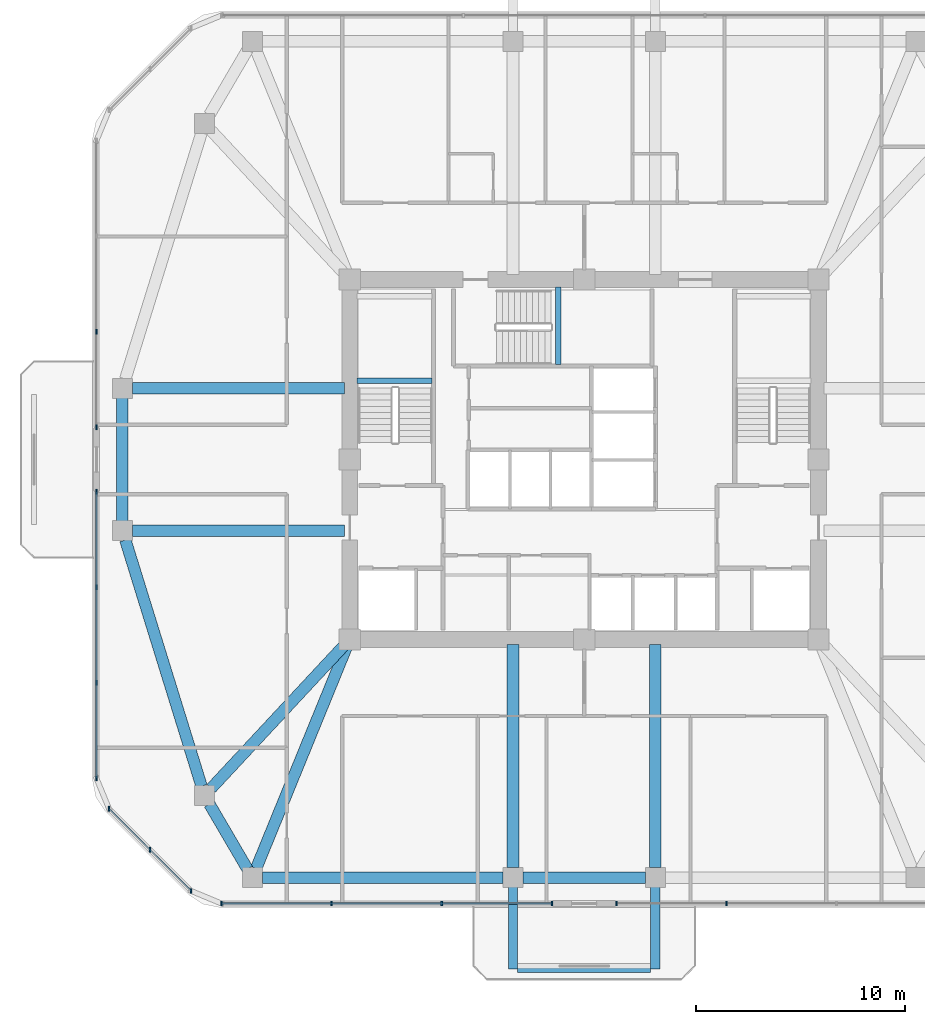
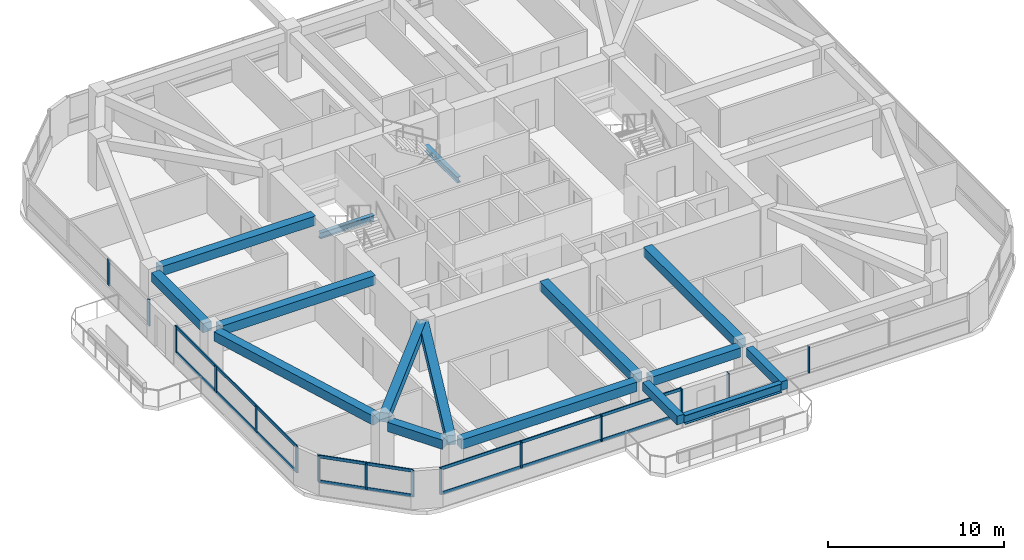
# One storey, part 2 of 12: 21 members, 16 beams, 5 elements without a shape of their own.
"""IFC4 building model written with IfcOpenShell, lengths in metres."""

from ifc_helpers import new_model, si_unit, derived_unit, direction, frame, origin, origin_2d, place, context, subcontext, project, spatial, rectangle, i_section, extrude, material, material_profile, profile_set, type_object, element, aggregate, save


model = new_model("IFC4")

# Units and contexts
model_context = context("Model", 3, precision=1e-05, world=origin(), true_north=direction((0.0, 1.0)))
body_context = subcontext(model_context, "Body", "Model", "MODEL_VIEW")
ifc_project = project(units=[si_unit("LENGTHUNIT", "METRE"), si_unit("AREAUNIT", "SQUARE_METRE"), si_unit("VOLUMEUNIT", "CUBIC_METRE"), si_unit("PLANEANGLEUNIT", "RADIAN"), si_unit("MASSUNIT", "GRAM", prefix="KILO"), derived_unit("THERMALTRANSMITTANCEUNIT", [(si_unit("POWERUNIT", "WATT"), 1), (si_unit("LENGTHUNIT", "METRE"), -2), (si_unit("THERMODYNAMICTEMPERATUREUNIT", "KELVIN"), -1)])], contexts=[model_context])

# Site, building, storey
site_placement = place(None, origin())
site = spatial("IfcSite", under=ifc_project, at=site_placement, CompositionType="ELEMENT")
building_placement = place(site_placement, origin())
building = spatial("IfcBuilding", under=site, at=building_placement, Name="Koralith Skygarden Medical Center", CompositionType="ELEMENT")
storey_placement = place(building_placement, frame((0.0, 0.0, 134.820068359375)))
storey = spatial("IfcBuildingStorey", under=building, at=storey_placement, Name="L34", CompositionType="ELEMENT", Elevation=134.820068359375)

# Curtain wall, members
ifc_material_1 = material(Name="Clear Laminated Glass", Category="glass")
curtain_wall_type = type_object("IfcCurtainWallType", Name="CW-4 Zone 3 Waist High-Wind Curtain Wall", PredefinedType="NOTDEFINED", material=ifc_material_1)
curtain_wall_1_placement = place(storey_placement, origin())
curtain_wall_1 = element("IfcCurtainWall", 1, at=curtain_wall_1_placement, inside=storey, type_object=curtain_wall_type, Name="Curtain Wall CW-L34-S-L", PredefinedType="NOTDEFINED")
ifc_material_2 = material(Name="Aluminium 6063-T6", Category="aluminium")
ifc_material_profile_1 = material_profile(ifc_material_2, rectangle(XDim=0.076904296875, YDim=0.22998046875, at=origin_2d()), Name="MUL77X230")
ifc_profile_set_1 = profile_set([ifc_material_profile_1], Name="Aluminium 6063-T6")
member_type_1 = type_object("IfcMemberType", Name="CW-4 Extruded Mullion 77x230", PredefinedType="MULLION", material=ifc_profile_set_1)
member_1_placement = place(storey_placement, frame((19.6708984375, 4.679931640625, 0.849853515625), z_axis=(0.0, 0.0, 1.0), x_axis=(1.0, 0.0, 0.0)))
member_1 = element("IfcMember", 2, at=member_1_placement, type_object=member_type_1, Name="CW-L34-S-L Mullion 1", PredefinedType="MULLION", context=body_context, shape_type="SweptSolid", body=[
    extrude(rectangle(XDim=0.076904296875, YDim=0.22998046875, at=origin_2d()), origin(), (0.0, 0.0, 1.0), 1.820068359375),
])
member_2_placement = place(storey_placement, frame((24.93408203125, 4.679931640625, 0.849853515625), z_axis=(0.0, 0.0, 1.0), x_axis=(1.0, 0.0, 0.0)))
member_2 = element("IfcMember", 3, at=member_2_placement, type_object=member_type_1, Name="CW-L34-S-L Mullion 2", PredefinedType="MULLION", context=body_context, shape_type="SweptSolid", body=[
    extrude(rectangle(XDim=0.076904296875, YDim=0.22998046875, at=origin_2d()), origin(), (0.0, 0.0, 1.0), 1.820068359375),
])
member_3_placement = place(storey_placement, frame((30.196044921875, 4.679931640625, 0.849853515625), z_axis=(0.0, 0.0, 1.0), x_axis=(1.0, 0.0, 0.0)))
member_3 = element("IfcMember", 4, at=member_3_placement, type_object=member_type_1, Name="CW-L34-S-L Mullion 3", PredefinedType="MULLION", context=body_context, shape_type="SweptSolid", body=[
    extrude(rectangle(XDim=0.076904296875, YDim=0.22998046875, at=origin_2d()), origin(), (0.0, 0.0, 1.0), 1.820068359375),
])
member_4_placement = place(storey_placement, frame((35.458984375, 4.679931640625, 0.849853515625), z_axis=(0.0, 0.0, 1.0), x_axis=(1.0, 0.0, 0.0)))
member_4 = element("IfcMember", 5, at=member_4_placement, type_object=member_type_1, Name="CW-L34-S-L Mullion 4", PredefinedType="MULLION", context=body_context, shape_type="SweptSolid", body=[
    extrude(rectangle(XDim=0.076904296875, YDim=0.22998046875, at=origin_2d()), origin(), (0.0, 0.0, 1.0), 1.820068359375),
])

curtain_wall_2_placement = place(storey_placement, origin())
curtain_wall_2 = element("IfcCurtainWall", 6, at=curtain_wall_2_placement, inside=storey, type_object=curtain_wall_type, Name="Curtain Wall CW-L34-S-R", PredefinedType="NOTDEFINED")
member_5_placement = place(storey_placement, frame((38.5390625, 4.679931640625, 0.849853515625), z_axis=(0.0, 0.0, 1.0), x_axis=(1.0, 0.0, 0.0)))
member_5 = element("IfcMember", 7, at=member_5_placement, type_object=member_type_1, Name="CW-L34-S-R Mullion 1", PredefinedType="MULLION", context=body_context, shape_type="SweptSolid", body=[
    extrude(rectangle(XDim=0.076904296875, YDim=0.22998046875, at=origin_2d()), origin(), (0.0, 0.0, 1.0), 1.820068359375),
])
member_6_placement = place(storey_placement, frame((43.802001953125, 4.679931640625, 0.849853515625), z_axis=(0.0, 0.0, 1.0), x_axis=(1.0, 0.0, 0.0)))
member_6 = element("IfcMember", 8, at=member_6_placement, type_object=member_type_1, Name="CW-L34-S-R Mullion 2", PredefinedType="MULLION", context=body_context, shape_type="SweptSolid", body=[
    extrude(rectangle(XDim=0.076904296875, YDim=0.22998046875, at=origin_2d()), origin(), (0.0, 0.0, 1.0), 1.820068359375),
])
aggregate(curtain_wall_2, [member_5, member_6])

curtain_wall_3_placement = place(storey_placement, origin())
curtain_wall_3 = element("IfcCurtainWall", 9, at=curtain_wall_3_placement, inside=storey, type_object=curtain_wall_type, Name="Curtain Wall CW-L34-W-L", PredefinedType="NOTDEFINED")
member_7_placement = place(storey_placement, frame((13.696044921875, 32.008056640625, 0.849853515625), z_axis=(0.0, 0.0, 1.0), x_axis=(1.0, 0.0, 0.0)))
member_7 = element("IfcMember", 10, at=member_7_placement, type_object=member_type_1, Name="CW-L34-W-L Mullion 3", PredefinedType="MULLION", context=body_context, shape_type="SweptSolid", body=[
    extrude(rectangle(XDim=0.076904296875, YDim=0.22998046875, at=origin_2d()), origin(), (0.0, 0.0, 1.0), 1.820068359375),
])
member_8_placement = place(storey_placement, frame((13.696044921875, 27.43994140625, 0.849853515625), z_axis=(0.0, 0.0, 1.0), x_axis=(1.0, 0.0, 0.0)))
member_8 = element("IfcMember", 11, at=member_8_placement, type_object=member_type_1, Name="CW-L34-W-L Mullion 4", PredefinedType="MULLION", context=body_context, shape_type="SweptSolid", body=[
    extrude(rectangle(XDim=0.076904296875, YDim=0.22998046875, at=origin_2d()), origin(), (0.0, 0.0, 1.0), 1.820068359375),
])
aggregate(curtain_wall_3, [member_7, member_8])

curtain_wall_4_placement = place(storey_placement, origin())
curtain_wall_4 = element("IfcCurtainWall", 12, at=curtain_wall_4_placement, inside=storey, type_object=curtain_wall_type, Name="Curtain Wall CW-L34-W-R", PredefinedType="NOTDEFINED")
member_9_placement = place(storey_placement, frame((13.696044921875, 24.360107421875, 0.849853515625), z_axis=(0.0, 0.0, 1.0), x_axis=(1.0, 0.0, 0.0)))
member_9 = element("IfcMember", 13, at=member_9_placement, type_object=member_type_1, Name="CW-L34-W-R Mullion 1", PredefinedType="MULLION", context=body_context, shape_type="SweptSolid", body=[
    extrude(rectangle(XDim=0.076904296875, YDim=0.22998046875, at=origin_2d()), origin(), (0.0, 0.0, 1.0), 1.820068359375),
])
member_10_placement = place(storey_placement, frame((13.696044921875, 19.7919921875, 0.849853515625), z_axis=(0.0, 0.0, 1.0), x_axis=(1.0, 0.0, 0.0)))
member_10 = element("IfcMember", 14, at=member_10_placement, type_object=member_type_1, Name="CW-L34-W-R Mullion 2", PredefinedType="MULLION", context=body_context, shape_type="SweptSolid", body=[
    extrude(rectangle(XDim=0.076904296875, YDim=0.22998046875, at=origin_2d()), origin(), (0.0, 0.0, 1.0), 1.820068359375),
])
member_11_placement = place(storey_placement, frame((13.696044921875, 15.222900390625, 0.849853515625), z_axis=(0.0, 0.0, 1.0), x_axis=(1.0, 0.0, 0.0)))
member_11 = element("IfcMember", 15, at=member_11_placement, type_object=member_type_1, Name="CW-L34-W-R Mullion 3", PredefinedType="MULLION", context=body_context, shape_type="SweptSolid", body=[
    extrude(rectangle(XDim=0.076904296875, YDim=0.22998046875, at=origin_2d()), origin(), (0.0, 0.0, 1.0), 1.820068359375),
])
member_12_placement = place(storey_placement, frame((13.696044921875, 10.655029296875, 0.849853515625), z_axis=(0.0, 0.0, 1.0), x_axis=(1.0, 0.0, 0.0)))
member_12 = element("IfcMember", 16, at=member_12_placement, type_object=member_type_1, Name="CW-L34-W-R Mullion 4", PredefinedType="MULLION", context=body_context, shape_type="SweptSolid", body=[
    extrude(rectangle(XDim=0.076904296875, YDim=0.22998046875, at=origin_2d()), origin(), (0.0, 0.0, 1.0), 1.820068359375),
])

curtain_wall_5_placement = place(storey_placement, origin())
curtain_wall_5 = element("IfcCurtainWall", 17, at=curtain_wall_5_placement, inside=storey, type_object=curtain_wall_type, Name="Curtain Wall CW-L34-SW", PredefinedType="NOTDEFINED")
member_13_placement = place(storey_placement, frame((14.297119140625, 9.2041015625, 0.849853515625), z_axis=(0.0, 0.0, 1.0), x_axis=(1.0, 0.0, 0.0)))
member_13 = element("IfcMember", 18, at=member_13_placement, type_object=member_type_1, Name="CW-L34-SW Mullion 1", PredefinedType="MULLION", context=body_context, shape_type="SweptSolid", body=[
    extrude(rectangle(XDim=0.076904296875, YDim=0.22998046875, at=origin_2d()), origin(), (0.0, 0.0, 1.0), 1.820068359375),
])
member_14_placement = place(storey_placement, frame((16.258056640625, 7.241943359375, 0.849853515625), z_axis=(0.0, 0.0, 1.0), x_axis=(1.0, 0.0, 0.0)))
member_14 = element("IfcMember", 19, at=member_14_placement, type_object=member_type_1, Name="CW-L34-SW Mullion 2", PredefinedType="MULLION", context=body_context, shape_type="SweptSolid", body=[
    extrude(rectangle(XDim=0.076904296875, YDim=0.22998046875, at=origin_2d()), origin(), (0.0, 0.0, 1.0), 1.820068359375),
])
member_15_placement = place(storey_placement, frame((18.219970703125, 5.281005859375, 0.849853515625), z_axis=(0.0, 0.0, 1.0), x_axis=(1.0, 0.0, 0.0)))
member_15 = element("IfcMember", 20, at=member_15_placement, type_object=member_type_1, Name="CW-L34-SW Mullion 3", PredefinedType="MULLION", context=body_context, shape_type="SweptSolid", body=[
    extrude(rectangle(XDim=0.076904296875, YDim=0.22998046875, at=origin_2d()), origin(), (0.0, 0.0, 1.0), 1.820068359375),
])

# Member
ifc_material_profile_2 = material_profile(ifc_material_2, rectangle(XDim=0.072021484375, YDim=0.20703125, at=origin_2d()), Name="TRN72X207")
ifc_profile_set_2 = profile_set([ifc_material_profile_2], Name="Aluminium 6063-T6")
member_type_2 = type_object("IfcMemberType", Name="CW-4 Thermal Transom 72x207", PredefinedType="USERDEFINED", material=ifc_profile_set_2)
member_16_placement = place(storey_placement, frame((19.6708984375, 4.679931640625, 0.89990234375), z_axis=(1.0, 0.0, 0.0), x_axis=(0.0, 1.0, 0.0)))
member_16 = element("IfcMember", 21, at=member_16_placement, type_object=member_type_2, Name="CW-L34-S-L Transom 1", ObjectType="TRANSOM", PredefinedType="USERDEFINED", context=body_context, shape_type="SweptSolid", body=[
    extrude(rectangle(XDim=0.072021484375, YDim=0.20703125, at=origin_2d()), origin(), (0.0, 0.0, 1.0), 15.7880859375),
])

member_17_placement = place(storey_placement, frame((19.6708984375, 4.679931640625, 2.619873046875), z_axis=(1.0, 0.0, 0.0), x_axis=(0.0, 1.0, 0.0)))
member_17 = element("IfcMember", 22, at=member_17_placement, type_object=member_type_2, Name="CW-L34-S-L Transom 2", ObjectType="TRANSOM", PredefinedType="USERDEFINED", context=body_context, shape_type="SweptSolid", body=[
    extrude(rectangle(XDim=0.072021484375, YDim=0.20703125, at=origin_2d()), origin(), (0.0, 0.0, 1.0), 15.7880859375),
])

aggregate(curtain_wall_1, [member_1, member_2, member_3, member_4, member_16, member_17])

member_18_placement = place(storey_placement, frame((13.696044921875, 24.360107421875, 0.89990234375), z_axis=(0.0, -1.0, 0.0), x_axis=(1.0, 0.0, 0.0)))
member_18 = element("IfcMember", 23, at=member_18_placement, type_object=member_type_2, Name="CW-L34-W-R Transom 1", ObjectType="TRANSOM", PredefinedType="USERDEFINED", context=body_context, shape_type="SweptSolid", body=[
    extrude(rectangle(XDim=0.072021484375, YDim=0.20703125, at=origin_2d()), origin(), (0.0, 0.0, 1.0), 13.705078125),
])

member_19_placement = place(storey_placement, frame((13.696044921875, 24.360107421875, 2.619873046875), z_axis=(0.0, -1.0, 0.0), x_axis=(1.0, 0.0, 0.0)))
member_19 = element("IfcMember", 24, at=member_19_placement, type_object=member_type_2, Name="CW-L34-W-R Transom 2", ObjectType="TRANSOM", PredefinedType="USERDEFINED", context=body_context, shape_type="SweptSolid", body=[
    extrude(rectangle(XDim=0.072021484375, YDim=0.20703125, at=origin_2d()), origin(), (0.0, 0.0, 1.0), 13.705078125),
])

aggregate(curtain_wall_4, [member_9, member_10, member_11, member_12, member_18, member_19])

member_20_placement = place(storey_placement, frame((14.297119140625, 9.2041015625, 0.89990234375), z_axis=(0.707084777957, -0.707128783731, 0.0), x_axis=(0.707128783731, 0.707084777957, 0.0)))
member_20 = element("IfcMember", 25, at=member_20_placement, type_object=member_type_2, Name="CW-L34-SW Transom 1", ObjectType="TRANSOM", PredefinedType="USERDEFINED", context=body_context, shape_type="SweptSolid", body=[
    extrude(rectangle(XDim=0.072021484375, YDim=0.20703125, at=origin_2d()), origin(), (0.0, 0.0, 1.0), 5.5478515625),
])

member_21_placement = place(storey_placement, frame((14.297119140625, 9.2041015625, 2.619873046875), z_axis=(0.707084777957, -0.707128783731, 0.0), x_axis=(0.707128783731, 0.707084777957, 0.0)))
member_21 = element("IfcMember", 26, at=member_21_placement, type_object=member_type_2, Name="CW-L34-SW Transom 2", ObjectType="TRANSOM", PredefinedType="USERDEFINED", context=body_context, shape_type="SweptSolid", body=[
    extrude(rectangle(XDim=0.072021484375, YDim=0.20703125, at=origin_2d()), origin(), (0.0, 0.0, 1.0), 5.5478515625),
])

aggregate(curtain_wall_5, [member_13, member_14, member_15, member_20, member_21])

# Beams
ifc_material_3 = material(Name="Steel ASTM A992 Grade 50", Category="steel")
ifc_material_profile_3 = material_profile(ifc_material_3, i_section(OverallWidth=0.326904296875, OverallDepth=0.6220703125, WebThickness=0.015380859375, FlangeThickness=0.0244140625, at=origin_2d()), Name="W24X131")
ifc_profile_set_3 = profile_set([ifc_material_profile_3], Name="Steel ASTM A992 Grade 50")
beam_type_1 = type_object("IfcBeamType", Name="Cantilever Tie Beam W24X131", PredefinedType="BEAM", material=ifc_profile_set_3)
beam_1_placement = place(storey_placement, frame((33.820068359375, 1.5400390625, 3.029052734375), z_axis=(1.0, 0.0, 0.0), x_axis=(0.0, 1.0, 0.0)))
element("IfcBeam", 27, at=beam_1_placement, inside=storey, type_object=beam_type_1, Name="L35 S Balcony Tip Tie Beam", PredefinedType="BEAM", context=body_context, shape_type="SweptSolid", body=[
    extrude(i_section(OverallWidth=0.326904296875, OverallDepth=0.6220703125, WebThickness=0.015380859375, FlangeThickness=0.0244140625, at=origin_2d()), origin(), (0.0, 0.0, 1.0), 6.35986328125),
])
ifc_material_profile_4 = material_profile(ifc_material_3, i_section(OverallWidth=0.260009765625, OverallDepth=0.4150390625, WebThickness=0.010009765625, FlangeThickness=0.016845703125, at=origin_2d()), Name="W16X67")
ifc_profile_set_4 = profile_set([ifc_material_profile_4], Name="Steel ASTM A992 Grade 50")
beam_type_2 = type_object("IfcBeamType", Name="Clinical Floor Joist W16X67", PredefinedType="JOIST", material=ifc_profile_set_4)
beam_2_placement = place(storey_placement, frame((26.155029296875, 29.659912109375, 1.392822265625), z_axis=(1.0, 0.0, 0.0), x_axis=(0.0, 1.0, 0.0)))
element("IfcBeam", 28, at=beam_2_placement, inside=storey, type_object=beam_type_2, Name="L34 Stair ST1 Half-Landing Support Beam 1A", PredefinedType="JOIST", context=body_context, shape_type="SweptSolid", body=[
    extrude(i_section(OverallWidth=0.260009765625, OverallDepth=0.4150390625, WebThickness=0.010009765625, FlangeThickness=0.016845703125, at=origin_2d()), origin(), (0.0, 0.0, 1.0), 3.56494140625),
])
beam_3_placement = place(storey_placement, frame((35.760009765625, 30.43994140625, 1.392822265625), z_axis=(0.0, 1.0, 0.0), x_axis=(-1.0, 0.0, 0.0)))
element("IfcBeam", 29, at=beam_3_placement, inside=storey, type_object=beam_type_2, Name="L34 Stair ST3 Half-Landing Support Beam 1A", PredefinedType="JOIST", context=body_context, shape_type="SweptSolid", body=[
    extrude(i_section(OverallWidth=0.260009765625, OverallDepth=0.4150390625, WebThickness=0.010009765625, FlangeThickness=0.016845703125, at=origin_2d()), origin(), (0.0, 0.0, 1.0), 3.705078125),
])
ifc_material_4 = material(Name="Concrete C45/55", Category="concrete")
ifc_material_profile_5 = material_profile(ifc_material_4, rectangle(XDim=0.449951171875, YDim=0.60009765625, at=origin_2d()), Name="RCB450X600")
ifc_profile_set_5 = profile_set([ifc_material_profile_5], Name="Concrete C45/55")
beam_type_3 = type_object("IfcBeamType", Name="Planted Balcony Cantilever Beam RCB450X600", PredefinedType="BEAM", material=ifc_profile_set_5)
for number, where, z_axis, x_axis, name in (
    (30, (33.60009765625, 5.4599609375, 3.0400390625), (0.0, -1.0, 0.0), (1.0, 0.0, 0.0), "L35 S Balcony Cantilever Beam A"),
    (31, (40.39990234375, 5.4599609375, 3.0400390625), (0.0, -1.0, 0.0), (1.0, 0.0, 0.0), "L35 S Balcony Cantilever Beam B"),
):
    element("IfcBeam", number, at=place(storey_placement, frame(where, z_axis=z_axis, x_axis=x_axis)), inside=storey, type_object=beam_type_3, Name=name, PredefinedType="BEAM", context=body_context, shape_type="SweptSolid", body=[
        extrude(rectangle(XDim=0.449951171875, YDim=0.60009765625, at=origin_2d()), origin(), (0.0, 0.0, 1.0), 3.919921875),
    ])
ifc_material_profile_6 = material_profile(ifc_material_4, rectangle(XDim=0.550048828125, YDim=0.639892578125, at=origin_2d()), Name="RCB550X640")
ifc_profile_set_6 = profile_set([ifc_material_profile_6], Name="Concrete C45/55")
beam_type_4 = type_object("IfcBeamType", Name="Radial Collector Beam RCB550X640", PredefinedType="BEAM", material=ifc_profile_set_6)
beam_4_placement = place(storey_placement, frame((25.550048828125, 22.5, 3.0), z_axis=(-1.0, 0.0, 0.0), x_axis=(0.0, -1.0, 0.0)))
element("IfcBeam", 32, at=beam_4_placement, inside=storey, type_object=beam_type_4, Name="L34 Radial Collector Beam RB-01", PredefinedType="BEAM", context=body_context, shape_type="SweptSolid", body=[
    extrude(rectangle(XDim=0.550048828125, YDim=0.639892578125, at=origin_2d()), origin(), (0.0, 0.0, 1.0), 10.14404296875),
])
beam_5_placement = place(storey_placement, frame((25.6298828125, 17.116943359375, 3.0), z_axis=(-0.681369011591, -0.731940072713, 0.0), x_axis=(0.731940072713, -0.681369011591, 0.0)))
element("IfcBeam", 33, at=beam_5_placement, inside=storey, type_object=beam_type_4, Name="L34 Radial Collector Beam RB-02", PredefinedType="BEAM", context=body_context, shape_type="SweptSolid", body=[
    extrude(rectangle(XDim=0.550048828125, YDim=0.639892578125, at=origin_2d()), origin(), (0.0, 0.0, 1.0), 9.471923828125),
])
beam_6_placement = place(storey_placement, frame((25.705078125, 17.069091796875, 3.0), z_axis=(-0.378344544364, -0.92566484526, 0.0), x_axis=(0.92566484526, -0.378344544364, 0.0)))
element("IfcBeam", 34, at=beam_6_placement, inside=storey, type_object=beam_type_4, Name="L34 Radial Collector Beam RB-03", PredefinedType="BEAM", context=body_context, shape_type="SweptSolid", body=[
    extrude(rectangle(XDim=0.550048828125, YDim=0.639892578125, at=origin_2d()), origin(), (0.0, 0.0, 1.0), 11.574462890625),
])
for number, where, z_axis, x_axis, name in (
    (35, (33.60009765625, 17.050048828125, 3.0), (0.0, -1.0, 0.0), (1.0, 0.0, 0.0), "L34 Radial Collector Beam RB-04"),
    (36, (40.39990234375, 17.050048828125, 3.0), (0.0, -1.0, 0.0), (1.0, 0.0, 0.0), "L34 Radial Collector Beam RB-05"),
):
    element("IfcBeam", number, at=place(storey_placement, frame(where, z_axis=z_axis, x_axis=x_axis)), inside=storey, type_object=beam_type_4, Name=name, PredefinedType="BEAM", context=body_context, shape_type="SweptSolid", body=[
        extrude(rectangle(XDim=0.550048828125, YDim=0.639892578125, at=origin_2d()), origin(), (0.0, 0.0, 1.0), 10.66015625),
    ])
beam_7_placement = place(storey_placement, frame((25.550048828125, 29.300048828125, 3.0), z_axis=(-1.0, 0.0, 0.0), x_axis=(0.0, -1.0, 0.0)))
element("IfcBeam", 37, at=beam_7_placement, inside=storey, type_object=beam_type_4, Name="L34 Radial Collector Beam RB-16", PredefinedType="BEAM", context=body_context, shape_type="SweptSolid", body=[
    extrude(rectangle(XDim=0.550048828125, YDim=0.639892578125, at=origin_2d()), origin(), (0.0, 0.0, 1.0), 10.14404296875),
])
ifc_material_profile_7 = material_profile(ifc_material_4, rectangle(XDim=0.550048828125, YDim=0.639892578125, at=origin_2d()), Name="RCB550X640")
ifc_profile_set_7 = profile_set([ifc_material_profile_7], Name="Concrete C45/55")
beam_type_5 = type_object("IfcBeamType", Name="Zone 2-3 Spandrel Beam RCB550X640", PredefinedType="SPANDREL", material=ifc_profile_set_7)
beam_8_placement = place(storey_placement, frame((15.074951171875, 22.051025390625, 3.0), z_axis=(0.295793585147, -0.955251880389, 0.0), x_axis=(0.955251880389, 0.295793585147, 0.0)))
element("IfcBeam", 38, at=beam_8_placement, inside=storey, type_object=beam_type_5, Name="L34 Perimeter Spandrel Beam SP-01", PredefinedType="SPANDREL", context=body_context, shape_type="SweptSolid", body=[
    extrude(rectangle(XDim=0.550048828125, YDim=0.639892578125, at=origin_2d()), origin(), (0.0, 0.0, 1.0), 12.31298828125),
])
beam_9_placement = place(storey_placement, frame((19.093017578125, 9.43408203125, 3.0), z_axis=(0.504861391295, -0.863200426077, 0.0), x_axis=(0.863200426077, 0.504861391295, 0.0)))
element("IfcBeam", 39, at=beam_9_placement, inside=storey, type_object=beam_type_5, Name="L34 Perimeter Spandrel Beam SP-02", PredefinedType="SPANDREL", context=body_context, shape_type="SweptSolid", body=[
    extrude(rectangle(XDim=0.550048828125, YDim=0.639892578125, at=origin_2d()), origin(), (0.0, 0.0, 1.0), 3.600830078125),
])
beam_10_placement = place(storey_placement, frame((21.617919921875, 5.919921875, 3.0), z_axis=(1.0, 0.0, 0.0), x_axis=(0.0, 1.0, 0.0)))
element("IfcBeam", 40, at=beam_10_placement, inside=storey, type_object=beam_type_5, Name="L34 Perimeter Spandrel Beam SP-03", PredefinedType="SPANDREL", context=body_context, shape_type="SweptSolid", body=[
    extrude(rectangle(XDim=0.550048828125, YDim=0.639892578125, at=origin_2d()), origin(), (0.0, 0.0, 1.0), 11.511962890625),
])
beam_11_placement = place(storey_placement, frame((34.070068359375, 5.919921875, 3.0), z_axis=(1.0, 0.0, 0.0), x_axis=(0.0, 1.0, 0.0)))
element("IfcBeam", 41, at=beam_11_placement, inside=storey, type_object=beam_type_5, Name="L34 Perimeter Spandrel Beam SP-04", PredefinedType="SPANDREL", context=body_context, shape_type="SweptSolid", body=[
    extrude(rectangle(XDim=0.550048828125, YDim=0.639892578125, at=origin_2d()), origin(), (0.0, 0.0, 1.0), 5.85986328125),
])
beam_12_placement = place(storey_placement, frame((14.93603515625, 28.830078125, 3.0), z_axis=(0.0, -1.0, 0.0), x_axis=(1.0, 0.0, 0.0)))
element("IfcBeam", 42, at=beam_12_placement, inside=storey, type_object=beam_type_5, Name="L34 Perimeter Spandrel Beam SP-16", PredefinedType="SPANDREL", context=body_context, shape_type="SweptSolid", body=[
    extrude(rectangle(XDim=0.550048828125, YDim=0.639892578125, at=origin_2d()), origin(), (0.0, 0.0, 1.0), 5.860107421875),
])

save(model, "model.ifc")
